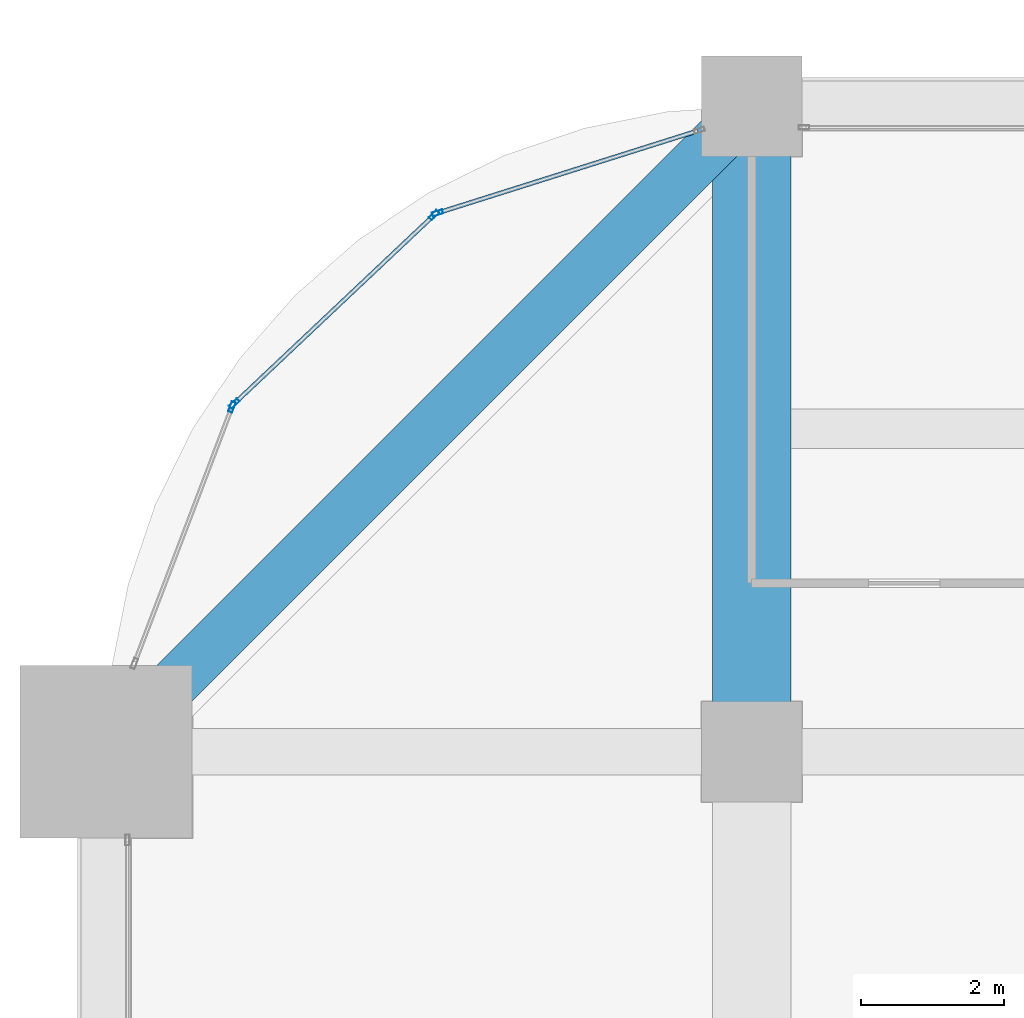
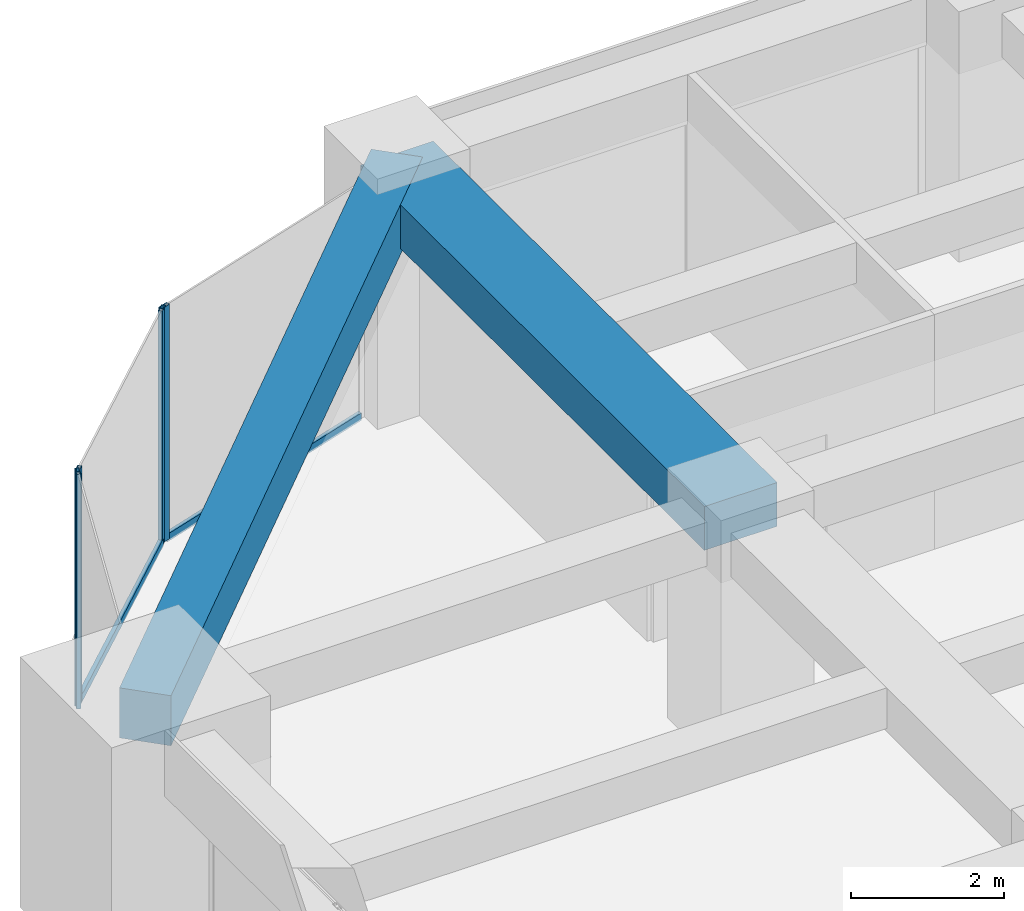
# One storey, part 22 of 33: 6 members, 2 beams, 3 elements without a shape of their own.
"""IFC4 building model written with IfcOpenShell, lengths in metres."""

from ifc_helpers import new_model, si_unit, direction, frame, origin, origin_2d, place, context, subcontext, project, spatial, rectangle, hollow_rectangle, extrude, material, material_profile, profile_set, type_object, element, aggregate, save


model = new_model("IFC4")

# Units and contexts
model_context = context("Model", 3, precision=1e-05, world=origin(), true_north=direction((0.0, 1.0)))
body_context = subcontext(model_context, "Body", "Model", "MODEL_VIEW")
ifc_project = project(units=[si_unit("LENGTHUNIT", "METRE"), si_unit("AREAUNIT", "SQUARE_METRE"), si_unit("VOLUMEUNIT", "CUBIC_METRE"), si_unit("PLANEANGLEUNIT", "RADIAN"), si_unit("MASSUNIT", "GRAM", prefix="KILO")], contexts=[model_context])

# Site, building, storey
site_placement = place(None, origin())
site = spatial("IfcSite", under=ifc_project, at=site_placement, CompositionType="ELEMENT")
building_placement = place(site_placement, origin())
building = spatial("IfcBuilding", under=site, at=building_placement, Name="Zorevar Civic Tower", CompositionType="ELEMENT")
storey_placement = place(building_placement, frame((0.0, 0.0, 206.199951171875)))
storey = spatial("IfcBuildingStorey", under=building, at=storey_placement, Name="L50", CompositionType="ELEMENT", Elevation=206.199951171875)

# Beam
ifc_material_1 = material(Name="Concrete C50/60", Category="concrete")
ifc_material_profile_1 = material_profile(ifc_material_1, rectangle(XDim=1.10009765625, YDim=0.699951171875, at=origin_2d()), Name="RC 1100x700")
ifc_profile_set_1 = profile_set([ifc_material_profile_1], Name="Concrete C50/60")
beam_type_1 = type_object("IfcBeamType", Name="Beam RC 1100x700", PredefinedType="BEAM", material=ifc_profile_set_1)
beam_1_placement = place(storey_placement, frame((9.0, 36.0, 3.400146484375), z_axis=(0.0, 1.0, 0.0), x_axis=(-1.0, 0.0, 0.0)))
element("IfcBeam", 1, at=beam_1_placement, inside=storey, type_object=beam_type_1, Name="Girder L51", PredefinedType="BEAM", context=body_context, shape_type="SweptSolid", body=[
    extrude(rectangle(XDim=1.10009765625, YDim=0.699951171875, at=origin_2d()), origin(), (0.0, 0.0, 1.0), 9.0),
])

# Curtain wall, member
ifc_material_2 = material(Name="Dark grey solar-control glass in black aluminium frame", Category="aluminium")
curtain_wall_type = type_object("IfcCurtainWallType", Name="Curtain wall CW4 high zone", PredefinedType="NOTDEFINED", material=ifc_material_2)
curtain_wall_1_placement = place(storey_placement, origin())
curtain_wall_1 = element("IfcCurtainWall", 2, at=curtain_wall_1_placement, inside=storey, type_object=curtain_wall_type, Name="CW4 L50", PredefinedType="NOTDEFINED")
ifc_material_3 = material(Name="Aluminium, black anodised", Category="aluminium")
ifc_material_profile_2 = material_profile(ifc_material_3, hollow_rectangle(XDim=0.06005859375, YDim=0.14990234375, WallThickness=0.00390625, at=origin_2d()), Name="AL 150x60x4")
ifc_profile_set_2 = profile_set([ifc_material_profile_2], Name="Aluminium, black anodised")
member_type_1 = type_object("IfcMemberType", Name="CW4 mullion AL 150x60x4", PredefinedType="MULLION", material=ifc_profile_set_2)
member_1_placement = place(storey_placement, frame((4.62158203125, 43.51025390625, 0.0), z_axis=(0.0, 0.0, 1.0), x_axis=(0.301108296077, -0.953589950678, 0.0)))
member_1 = element("IfcMember", 3, at=member_1_placement, type_object=member_type_1, Name="CW4 mullion 2", PredefinedType="MULLION", context=body_context, shape_type="SweptSolid", body=[
    extrude(hollow_rectangle(XDim=0.06005859375, YDim=0.14990234375, WallThickness=0.00390625, at=origin_2d()), origin(), (0.0, 0.0, 1.0), 3.75),
])

# Curtain wall, members
curtain_wall_2_placement = place(storey_placement, origin())
curtain_wall_2 = element("IfcCurtainWall", 4, at=curtain_wall_2_placement, inside=storey, type_object=curtain_wall_type, Name="CW4 L50", PredefinedType="NOTDEFINED")
member_2_placement = place(storey_placement, frame((4.5712890625, 43.480712890625, 0.0), z_axis=(0.0, 0.0, 1.0), x_axis=(0.686377907265, -0.727245053898, 0.0)))
member_2 = element("IfcMember", 5, at=member_2_placement, type_object=member_type_1, Name="CW4 mullion 1", PredefinedType="MULLION", context=body_context, shape_type="SweptSolid", body=[
    extrude(hollow_rectangle(XDim=0.06005859375, YDim=0.14990234375, WallThickness=0.00390625, at=origin_2d()), origin(), (0.0, 0.0, 1.0), 3.75),
])
member_3_placement = place(storey_placement, frame((1.787841796875, 40.853759765625, 0.0), z_axis=(0.0, 0.0, 1.0), x_axis=(0.686377907265, -0.727245053898, 0.0)))
member_3 = element("IfcMember", 6, at=member_3_placement, type_object=member_type_1, Name="CW4 mullion 2", PredefinedType="MULLION", context=body_context, shape_type="SweptSolid", body=[
    extrude(hollow_rectangle(XDim=0.06005859375, YDim=0.14990234375, WallThickness=0.00390625, at=origin_2d()), origin(), (0.0, 0.0, 1.0), 3.75),
])

# Curtain wall, member
curtain_wall_3_placement = place(storey_placement, origin())
curtain_wall_3 = element("IfcCurtainWall", 7, at=curtain_wall_3_placement, inside=storey, type_object=curtain_wall_type, Name="CW4 L50", PredefinedType="NOTDEFINED")
member_4_placement = place(storey_placement, frame((1.75537109375, 40.804931640625, 0.0), z_axis=(0.0, 0.0, 1.0), x_axis=(0.93458842801, -0.355730895803, 0.0)))
member_4 = element("IfcMember", 8, at=member_4_placement, type_object=member_type_1, Name="CW4 mullion 1", PredefinedType="MULLION", context=body_context, shape_type="SweptSolid", body=[
    extrude(hollow_rectangle(XDim=0.06005859375, YDim=0.14990234375, WallThickness=0.00390625, at=origin_2d()), origin(), (0.0, 0.0, 1.0), 3.75),
])
aggregate(curtain_wall_3, [member_4])

# Member
ifc_material_4 = material(Name="Aluminium, black anodised", Category="aluminium")
ifc_material_profile_3 = material_profile(ifc_material_4, hollow_rectangle(XDim=0.06005859375, YDim=0.1201171875, WallThickness=0.0029296875, at=origin_2d()), Name="AL 120x60x3")
ifc_profile_set_3 = profile_set([ifc_material_profile_3], Name="Aluminium, black anodised")
member_type_2 = type_object("IfcMemberType", Name="CW4 transom AL 120x60x3", PredefinedType="USERDEFINED", material=ifc_profile_set_3)
member_5_placement = place(storey_placement, frame((8.24267578125, 44.653564453125, 0.030029296875), z_axis=(-0.953592459367, -0.301100351109, 0.0), x_axis=(0.301100351109, -0.953592459367, 0.0)))
member_5 = element("IfcMember", 9, at=member_5_placement, type_object=member_type_2, Name="CW4 sill transom", ObjectType="TRANSOM", PredefinedType="USERDEFINED", context=body_context, shape_type="SweptSolid", body=[
    extrude(hollow_rectangle(XDim=0.06005859375, YDim=0.1201171875, WallThickness=0.0029296875, at=origin_2d()), origin(), (0.0, 0.0, 1.0), 3.76708984375),
])

aggregate(curtain_wall_1, [member_1, member_5])

member_6_placement = place(storey_placement, frame((4.549560546875, 43.4599609375, 0.030029296875), z_axis=(-0.727288059227, -0.686332338526, 0.0), x_axis=(0.686332338526, -0.727288059227, 0.0)))
member_6 = element("IfcMember", 10, at=member_6_placement, type_object=member_type_2, Name="CW4 sill transom", ObjectType="TRANSOM", PredefinedType="USERDEFINED", context=body_context, shape_type="SweptSolid", body=[
    extrude(hollow_rectangle(XDim=0.06005859375, YDim=0.1201171875, WallThickness=0.0029296875, at=origin_2d()), origin(), (0.0, 0.0, 1.0), 3.767333984375),
])

aggregate(curtain_wall_2, [member_2, member_3, member_6])

# Beam
ifc_material_5 = material(Name="Concrete C50/60", Category="concrete")
ifc_material_profile_4 = material_profile(ifc_material_5, rectangle(XDim=0.699951171875, YDim=0.800048828125, at=origin_2d()), Name="RC 700x800")
ifc_profile_set_4 = profile_set([ifc_material_profile_4], Name="Concrete C50/60")
beam_type_2 = type_object("IfcBeamType", Name="Edge beam RC 700x800", PredefinedType="SPANDREL", material=ifc_profile_set_4)
beam_2_placement = place(storey_placement, frame((9.0, 45.0, 3.35009765625), z_axis=(-0.707106781187, -0.707106781187, 0.0), x_axis=(0.707106781187, -0.707106781187, 0.0)))
element("IfcBeam", 11, at=beam_2_placement, inside=storey, type_object=beam_type_2, Name="Corner edge beam L51", PredefinedType="SPANDREL", context=body_context, shape_type="SweptSolid", body=[
    extrude(rectangle(XDim=0.699951171875, YDim=0.800048828125, at=origin_2d()), origin(), (0.0, 0.0, 1.0), 12.72802734375),
])

save(model, "model.ifc")
